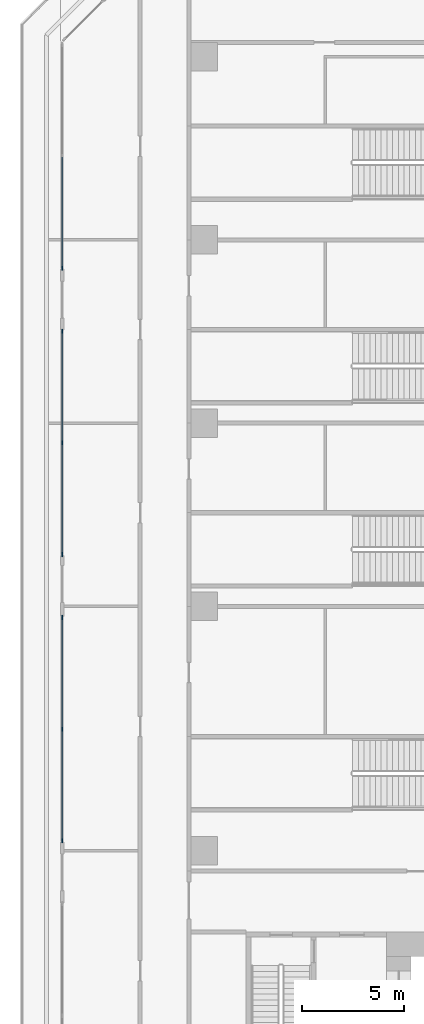
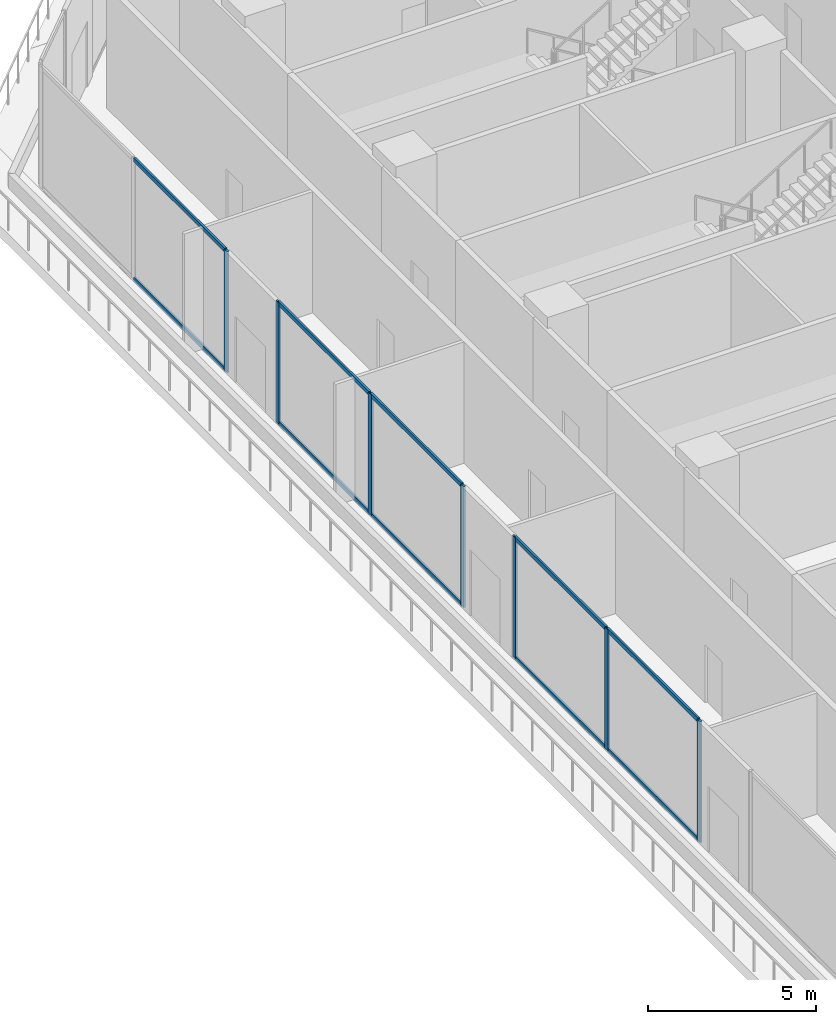
# One storey, part 4 of 25: 17 members, 3 elements without a shape of their own.
"""IFC4 building model written with IfcOpenShell, lengths in metres."""

from ifc_helpers import new_model, si_unit, direction, frame, origin, origin_2d, place, context, subcontext, project, spatial, rectangle, extrude, material, layer, layer_set, material_profile, profile_set, type_object, element, aggregate, save


model = new_model("IFC4")

# Units and contexts
model_context = context("Model", 3, precision=1e-05, world=origin(), true_north=direction((0.0, 1.0)))
body_context = subcontext(model_context, "Body", "Model", "MODEL_VIEW")
ifc_project = project(units=[si_unit("LENGTHUNIT", "METRE"), si_unit("AREAUNIT", "SQUARE_METRE"), si_unit("VOLUMEUNIT", "CUBIC_METRE"), si_unit("PLANEANGLEUNIT", "RADIAN"), si_unit("MASSUNIT", "GRAM", prefix="KILO")], contexts=[model_context])

# Site, building, storey
site_placement = place(None, origin())
site = spatial("IfcSite", under=ifc_project, at=site_placement, CompositionType="ELEMENT")
building_placement = place(site_placement, origin())
building = spatial("IfcBuilding", under=site, at=building_placement, Name="Chenar Terraces", CompositionType="ELEMENT")
storey_placement = place(building_placement, frame((0.0, 0.0, 21.60009765625)))
storey = spatial("IfcBuildingStorey", under=building, at=storey_placement, Name="L04", CompositionType="ELEMENT", Elevation=21.60009765625)

# Curtain wall, member
ifc_material_1 = material(Name="Aluminium framed glazing", Category="aluminium")
ifc_layer = layer(ifc_material_1, 0.14990234375)
ifc_layer_set = layer_set([ifc_layer], Name="Aluminium framed glazing")
curtain_wall_type = type_object("IfcCurtainWallType", Name="School curtain wall", PredefinedType="NOTDEFINED", material=ifc_layer_set)
placement = place(storey_placement, origin())
curtain_wall_1 = element("IfcCurtainWall", 1, at=placement, inside=storey, type_object=curtain_wall_type, Name="School curtain wall", PredefinedType="NOTDEFINED")
ifc_material_2 = material(Name="Aluminium", Category="aluminium")
ifc_material_profile_1 = material_profile(ifc_material_2, rectangle(XDim=0.070068359375, YDim=0.199951171875, at=origin_2d()), Name="School glazing mullion 70 x 200")
ifc_profile_set_1 = profile_set([ifc_material_profile_1], Name="Aluminium")
member_type_1 = type_object("IfcMemberType", Name="School glazing mullion 70 x 200", PredefinedType="MULLION", material=ifc_profile_set_1)
member_1_placement = place(storey_placement, frame((-6.925048828125, 52.611572265625, 0.0), z_axis=(0.0, 0.0, 1.0), x_axis=(1.0, 0.0, 0.0)))
member_1 = element("IfcMember", 2, at=member_1_placement, type_object=member_type_1, Name="CW2-05c0 mullion 3", PredefinedType="MULLION", context=body_context, shape_type="SweptSolid", body=[
    extrude(rectangle(XDim=0.070068359375, YDim=0.199951171875, at=origin_2d()), origin(), (0.0, 0.0, 1.0), 4.39990234375),
])

# Curtain wall, members
curtain_wall_2 = element("IfcCurtainWall", 3, at=placement, inside=storey, type_object=curtain_wall_type, Name="School curtain wall", PredefinedType="NOTDEFINED")
member_2_placement = place(storey_placement, frame((-6.925048828125, 49.5166015625, 0.0), z_axis=(0.0, 0.0, 1.0), x_axis=(1.0, 0.0, 0.0)))
member_2 = element("IfcMember", 4, at=member_2_placement, type_object=member_type_1, Name="CW2-05c1 mullion 1", PredefinedType="MULLION", context=body_context, shape_type="SweptSolid", body=[
    extrude(rectangle(XDim=0.070068359375, YDim=0.199951171875, at=origin_2d()), origin(), (0.0, 0.0, 1.0), 4.39990234375),
])
member_3_placement = place(storey_placement, frame((-6.925048828125, 44.031982421875, 0.0), z_axis=(0.0, 0.0, 1.0), x_axis=(1.0, 0.0, 0.0)))
member_3 = element("IfcMember", 5, at=member_3_placement, type_object=member_type_1, Name="CW2-05c1 mullion 2", PredefinedType="MULLION", context=body_context, shape_type="SweptSolid", body=[
    extrude(rectangle(XDim=0.070068359375, YDim=0.199951171875, at=origin_2d()), origin(), (0.0, 0.0, 1.0), 4.39990234375),
])
member_4_placement = place(storey_placement, frame((-6.925048828125, 38.547607421875, 0.0), z_axis=(0.0, 0.0, 1.0), x_axis=(1.0, 0.0, 0.0)))
member_4 = element("IfcMember", 6, at=member_4_placement, type_object=member_type_1, Name="CW2-05c1 mullion 3", PredefinedType="MULLION", context=body_context, shape_type="SweptSolid", body=[
    extrude(rectangle(XDim=0.070068359375, YDim=0.199951171875, at=origin_2d()), origin(), (0.0, 0.0, 1.0), 4.39990234375),
])

curtain_wall_3 = element("IfcCurtainWall", 7, at=placement, inside=storey, type_object=curtain_wall_type, Name="School curtain wall", PredefinedType="NOTDEFINED")
member_5_placement = place(storey_placement, frame((-6.925048828125, 35.452392578125, 0.0), z_axis=(0.0, 0.0, 1.0), x_axis=(1.0, 0.0, 0.0)))
member_5 = element("IfcMember", 8, at=member_5_placement, type_object=member_type_1, Name="CW2-05c2 mullion 1", PredefinedType="MULLION", context=body_context, shape_type="SweptSolid", body=[
    extrude(rectangle(XDim=0.070068359375, YDim=0.199951171875, at=origin_2d()), origin(), (0.0, 0.0, 1.0), 4.39990234375),
])
member_6_placement = place(storey_placement, frame((-6.925048828125, 29.968017578125, 0.0), z_axis=(0.0, 0.0, 1.0), x_axis=(1.0, 0.0, 0.0)))
member_6 = element("IfcMember", 9, at=member_6_placement, type_object=member_type_1, Name="CW2-05c2 mullion 2", PredefinedType="MULLION", context=body_context, shape_type="SweptSolid", body=[
    extrude(rectangle(XDim=0.070068359375, YDim=0.199951171875, at=origin_2d()), origin(), (0.0, 0.0, 1.0), 4.39990234375),
])
member_7_placement = place(storey_placement, frame((-6.925048828125, 24.4833984375, 0.0), z_axis=(0.0, 0.0, 1.0), x_axis=(1.0, 0.0, 0.0)))
member_7 = element("IfcMember", 10, at=member_7_placement, type_object=member_type_1, Name="CW2-05c2 mullion 3", PredefinedType="MULLION", context=body_context, shape_type="SweptSolid", body=[
    extrude(rectangle(XDim=0.070068359375, YDim=0.199951171875, at=origin_2d()), origin(), (0.0, 0.0, 1.0), 4.39990234375),
])

# Member
ifc_material_3 = material(Name="Aluminium", Category="aluminium")
ifc_material_profile_2 = material_profile(ifc_material_3, rectangle(XDim=0.070068359375, YDim=0.14990234375, at=origin_2d()), Name="School glazing transom 70 x 150")
ifc_profile_set_2 = profile_set([ifc_material_profile_2], Name="Aluminium")
member_type_2 = type_object("IfcMemberType", Name="School glazing transom 70 x 150", PredefinedType="USERDEFINED", material=ifc_profile_set_2)
member_8_placement = place(storey_placement, frame((-6.925048828125, 58.0673828125, 0.034912109375), z_axis=(0.0, -1.0, 0.0), x_axis=(1.0, 0.0, 0.0)))
member_8 = element("IfcMember", 11, at=member_8_placement, type_object=member_type_2, Name="CW2-05c0 transom 2.1", ObjectType="TRANSOM", PredefinedType="USERDEFINED", context=body_context, shape_type="SweptSolid", body=[
    extrude(rectangle(XDim=0.070068359375, YDim=0.14990234375, at=origin_2d()), origin(), (0.0, 0.0, 1.0), 5.4208984375),
])

member_9_placement = place(storey_placement, frame((-6.925048828125, 58.0673828125, 4.364990234375), z_axis=(0.0, -1.0, 0.0), x_axis=(1.0, 0.0, 0.0)))
member_9 = element("IfcMember", 12, at=member_9_placement, type_object=member_type_2, Name="CW2-05c0 transom 2.2", ObjectType="TRANSOM", PredefinedType="USERDEFINED", context=body_context, shape_type="SweptSolid", body=[
    extrude(rectangle(XDim=0.070068359375, YDim=0.14990234375, at=origin_2d()), origin(), (0.0, 0.0, 1.0), 5.4208984375),
])

aggregate(curtain_wall_1, [member_1, member_8, member_9])

member_10_placement = place(storey_placement, frame((-6.925048828125, 49.481689453125, 0.034912109375), z_axis=(0.0, -1.0, 0.0), x_axis=(1.0, 0.0, 0.0)))
member_10 = element("IfcMember", 13, at=member_10_placement, type_object=member_type_2, Name="CW2-05c1 transom 1.1", ObjectType="TRANSOM", PredefinedType="USERDEFINED", context=body_context, shape_type="SweptSolid", body=[
    extrude(rectangle(XDim=0.070068359375, YDim=0.14990234375, at=origin_2d()), origin(), (0.0, 0.0, 1.0), 5.41455078125),
])

member_11_placement = place(storey_placement, frame((-6.925048828125, 49.481689453125, 4.364990234375), z_axis=(0.0, -1.0, 0.0), x_axis=(1.0, 0.0, 0.0)))
member_11 = element("IfcMember", 14, at=member_11_placement, type_object=member_type_2, Name="CW2-05c1 transom 1.2", ObjectType="TRANSOM", PredefinedType="USERDEFINED", context=body_context, shape_type="SweptSolid", body=[
    extrude(rectangle(XDim=0.070068359375, YDim=0.14990234375, at=origin_2d()), origin(), (0.0, 0.0, 1.0), 5.41455078125),
])

member_12_placement = place(storey_placement, frame((-6.925048828125, 43.9970703125, 0.034912109375), z_axis=(0.0, -1.0, 0.0), x_axis=(1.0, 0.0, 0.0)))
member_12 = element("IfcMember", 15, at=member_12_placement, type_object=member_type_2, Name="CW2-05c1 transom 2.1", ObjectType="TRANSOM", PredefinedType="USERDEFINED", context=body_context, shape_type="SweptSolid", body=[
    extrude(rectangle(XDim=0.070068359375, YDim=0.14990234375, at=origin_2d()), origin(), (0.0, 0.0, 1.0), 5.41455078125),
])

member_13_placement = place(storey_placement, frame((-6.925048828125, 43.9970703125, 4.364990234375), z_axis=(0.0, -1.0, 0.0), x_axis=(1.0, 0.0, 0.0)))
member_13 = element("IfcMember", 16, at=member_13_placement, type_object=member_type_2, Name="CW2-05c1 transom 2.2", ObjectType="TRANSOM", PredefinedType="USERDEFINED", context=body_context, shape_type="SweptSolid", body=[
    extrude(rectangle(XDim=0.070068359375, YDim=0.14990234375, at=origin_2d()), origin(), (0.0, 0.0, 1.0), 5.41455078125),
])

aggregate(curtain_wall_2, [member_2, member_3, member_4, member_10, member_11, member_12, member_13])

member_14_placement = place(storey_placement, frame((-6.925048828125, 35.41748046875, 0.034912109375), z_axis=(0.0, -1.0, 0.0), x_axis=(1.0, 0.0, 0.0)))
member_14 = element("IfcMember", 17, at=member_14_placement, type_object=member_type_2, Name="CW2-05c2 transom 1.1", ObjectType="TRANSOM", PredefinedType="USERDEFINED", context=body_context, shape_type="SweptSolid", body=[
    extrude(rectangle(XDim=0.070068359375, YDim=0.14990234375, at=origin_2d()), origin(), (0.0, 0.0, 1.0), 5.41455078125),
])

member_15_placement = place(storey_placement, frame((-6.925048828125, 35.41748046875, 4.364990234375), z_axis=(0.0, -1.0, 0.0), x_axis=(1.0, 0.0, 0.0)))
member_15 = element("IfcMember", 18, at=member_15_placement, type_object=member_type_2, Name="CW2-05c2 transom 1.2", ObjectType="TRANSOM", PredefinedType="USERDEFINED", context=body_context, shape_type="SweptSolid", body=[
    extrude(rectangle(XDim=0.070068359375, YDim=0.14990234375, at=origin_2d()), origin(), (0.0, 0.0, 1.0), 5.41455078125),
])

member_16_placement = place(storey_placement, frame((-6.925048828125, 29.932861328125, 0.034912109375), z_axis=(0.0, -1.0, 0.0), x_axis=(1.0, 0.0, 0.0)))
member_16 = element("IfcMember", 19, at=member_16_placement, type_object=member_type_2, Name="CW2-05c2 transom 2.1", ObjectType="TRANSOM", PredefinedType="USERDEFINED", context=body_context, shape_type="SweptSolid", body=[
    extrude(rectangle(XDim=0.070068359375, YDim=0.14990234375, at=origin_2d()), origin(), (0.0, 0.0, 1.0), 5.41455078125),
])

member_17_placement = place(storey_placement, frame((-6.925048828125, 29.932861328125, 4.364990234375), z_axis=(0.0, -1.0, 0.0), x_axis=(1.0, 0.0, 0.0)))
member_17 = element("IfcMember", 20, at=member_17_placement, type_object=member_type_2, Name="CW2-05c2 transom 2.2", ObjectType="TRANSOM", PredefinedType="USERDEFINED", context=body_context, shape_type="SweptSolid", body=[
    extrude(rectangle(XDim=0.070068359375, YDim=0.14990234375, at=origin_2d()), origin(), (0.0, 0.0, 1.0), 5.41455078125),
])

aggregate(curtain_wall_3, [member_5, member_6, member_7, member_14, member_15, member_16, member_17])

save(model, "model.ifc")
